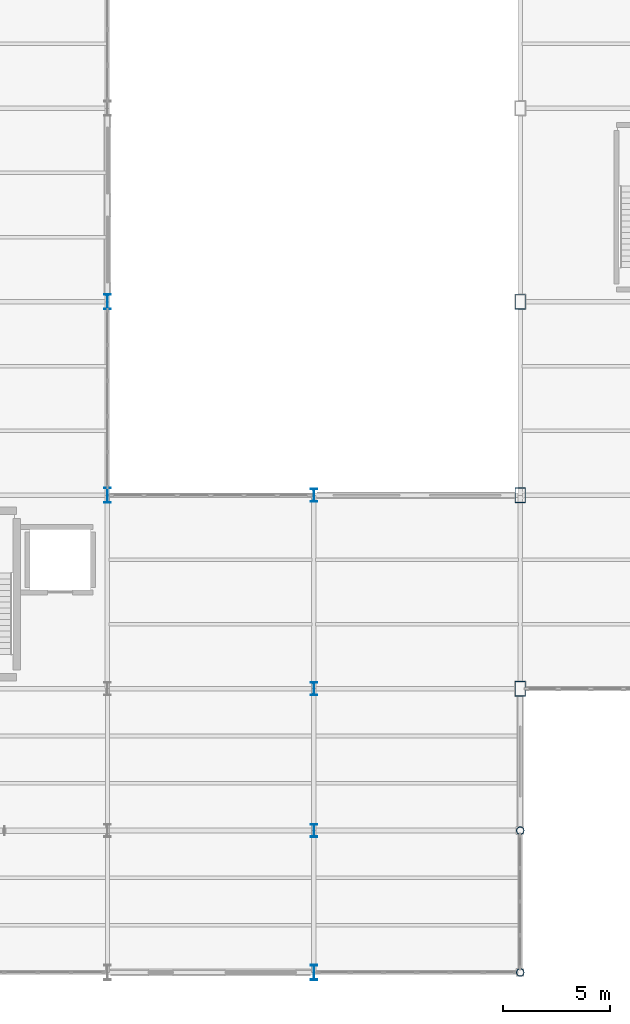
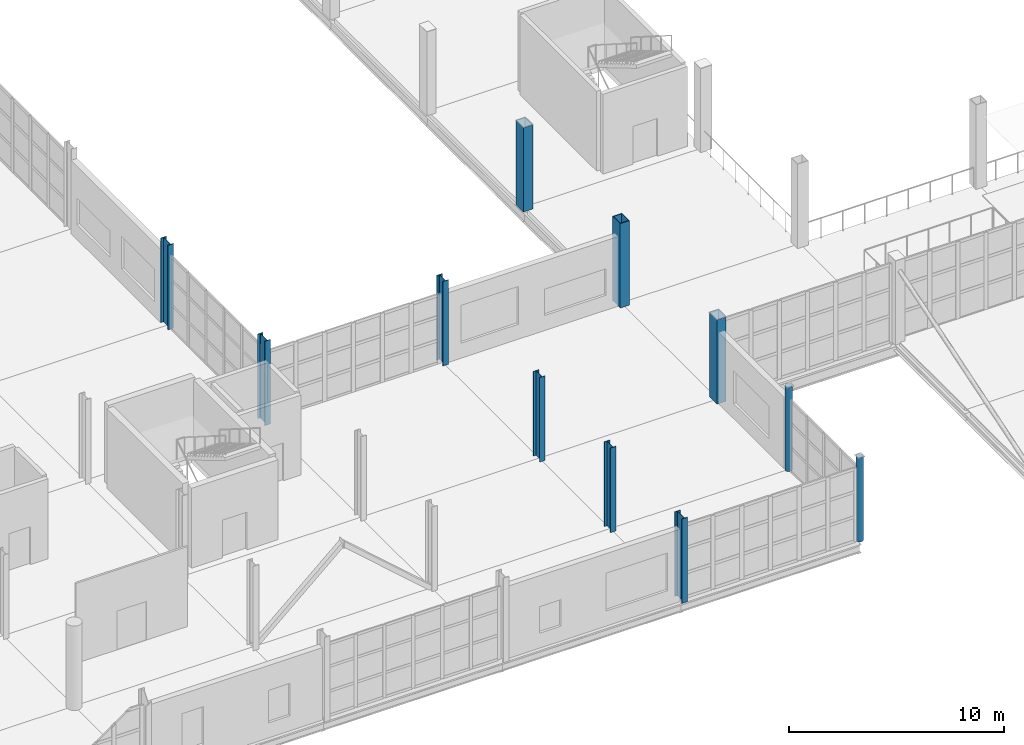
# One storey, part 2 of 120: 11 columns.
"""IFC4 building model written with IfcOpenShell, lengths in metres."""

import ifcopenshell
import ifcopenshell.guid

model = None  # the IFC model being written
_history = None  # IfcOwnerHistory: only IFC2X3 demands one
_inside = {}  # id of a spatial element -> (the spatial element, [elements in it])
_under = {}  # id of a project, library or spatial element -> (it, [spatial elements below it])
_declared = {}  # id of a project -> (the project, [libraries it declares])
_typed = {}  # id of a type object -> (the type object, [elements of that type])
_made_of = {}  # id of a material, layer set ... -> (it, [elements and type objects made of it])


def new_model(schema):
    """Start an empty IFC model of exactly this schema.

    Asked for "IFC4X3", IfcOpenShell would pick the latest addendum, in which some entities
    have other attributes; the version numbers below select the first issue.
    IFC2X3 requires an IfcOwnerHistory on every rooted entity: one is made here for all.
    """
    global model, _history
    if schema == "IFC4X3":
        model = ifcopenshell.file(schema_version=(4, 3, 0, 0))
    else:
        model = ifcopenshell.file(schema=schema)
    _inside.clear()
    _under.clear()
    _declared.clear()
    _typed.clear()
    _made_of.clear()
    _history = None
    if model.schema == "IFC2X3":
        org = make("IfcOrganization", Name="unknown")
        user = make(
            "IfcPersonAndOrganization",
            ThePerson=make("IfcPerson", FamilyName="unknown"),
            TheOrganization=org,
        )
        app = make(
            "IfcApplication",
            ApplicationDeveloper=org,
            Version="unknown",
            ApplicationFullName="unknown",
            ApplicationIdentifier="unknown",
        )
        _history = make(
            "IfcOwnerHistory",
            OwningUser=user,
            OwningApplication=app,
            ChangeAction="ADDED",
            CreationDate=0,
        )
    return model


def make(cls, **values):
    """One entity of the class cls with the attributes given. An attribute that is None is left unset."""
    return model.create_entity(
        cls, **{name: value for name, value in values.items() if value is not None}
    )


def rooted(cls, **values):
    """An entity with a GlobalId (a new one), such as an element, a storey or a relation."""
    return make(cls, GlobalId=ifcopenshell.guid.new(), OwnerHistory=_history, **values)


def si_unit(unit_type, name, prefix=None):
    """IfcSIUnit, for example si_unit("LENGTHUNIT", "METRE", prefix="MILLI")."""
    return make("IfcSIUnit", UnitType=unit_type, Prefix=prefix, Name=name)


def assignment(units):
    """IfcUnitAssignment: the units of a project."""
    return None if units is None else make("IfcUnitAssignment", Units=units)


def point(xyz):
    """IfcCartesianPoint."""
    return None if xyz is None else make("IfcCartesianPoint", Coordinates=xyz)


def direction(xyz):
    """IfcDirection."""
    return None if xyz is None else make("IfcDirection", DirectionRatios=xyz)


def frame(location, z_axis=None, x_axis=None):
    """IfcAxis2Placement3D, a coordinate frame: its origin and axes. An axis left out is left unset."""
    return make(
        "IfcAxis2Placement3D",
        Location=point(location),
        Axis=direction(z_axis),
        RefDirection=direction(x_axis),
    )


def frame_2d(location, x_axis=None):
    """IfcAxis2Placement2D, a coordinate frame in the plane: its origin and x axis."""
    return make(
        "IfcAxis2Placement2D", Location=point(location), RefDirection=direction(x_axis)
    )


def origin():
    """The frame at (0, 0, 0) with its axes left unset."""
    return frame((0.0, 0.0, 0.0))


def origin_2d():
    """The frame at (0, 0) in the plane with its x axis left unset."""
    return frame_2d((0.0, 0.0))


def place(relative_to, where):
    """IfcLocalPlacement: puts the frame where relative to a parent placement (None: the world)."""
    return make(
        "IfcLocalPlacement", PlacementRelTo=relative_to, RelativePlacement=where
    )


def context(
    kind, dimensions, precision=None, world=None, true_north=None, identifier=None
):
    """IfcGeometricRepresentationContext, for example the 3D "Model" context."""
    return make(
        "IfcGeometricRepresentationContext",
        ContextIdentifier=identifier,
        ContextType=kind,
        CoordinateSpaceDimension=dimensions,
        Precision=precision,
        WorldCoordinateSystem=world,
        TrueNorth=true_north,
    )


def subcontext(parent, identifier, kind, view, scale=None):
    """IfcGeometricRepresentationSubContext, for example "Body" below "Model"."""
    return make(
        "IfcGeometricRepresentationSubContext",
        ContextIdentifier=identifier,
        ContextType=kind,
        ParentContext=parent,
        TargetScale=scale,
        TargetView=view,
    )


def project(units=None, contexts=None):
    """IfcProject with its units and contexts."""
    return rooted(
        "IfcProject",
        Name="project",
        RepresentationContexts=contexts,
        UnitsInContext=assignment(units),
    )


def spatial(cls, under=None, at=None, **own):
    """A site, building, storey or space (cls), placed at a placement, below another one or the project."""
    s = rooted(cls, ObjectPlacement=at, **own)
    if under is not None:
        _under.setdefault(under.id(), (under, []))[1].append(s)
    return s


def profile(cls, at=None, kind="AREA", **sizes):
    """A parametric profile (cls). Its sizes go by their IFC names, for example OverallWidth=200.0."""
    return make(cls, ProfileType=kind, Position=at, **sizes)


def hollow_rectangle(**sizes):
    """IfcRectangleHollowProfileDef."""
    return profile("IfcRectangleHollowProfileDef", **sizes)


def hollow_circle(**sizes):
    """IfcCircleHollowProfileDef."""
    return profile("IfcCircleHollowProfileDef", **sizes)


def i_section(**sizes):
    """IfcIShapeProfileDef."""
    return profile("IfcIShapeProfileDef", **sizes)


def extrude(swept, where, along, depth):
    """IfcExtrudedAreaSolid: the profile swept, set in the frame where, extruded along a direction by depth."""
    return make(
        "IfcExtrudedAreaSolid",
        SweptArea=swept,
        Position=where,
        ExtrudedDirection=direction(along),
        Depth=depth,
    )


def shape(context_of_items, identifier, shape_type, items):
    """IfcShapeRepresentation: the items that make up one representation, for example the "Body"."""
    return make(
        "IfcShapeRepresentation",
        ContextOfItems=context_of_items,
        RepresentationIdentifier=identifier,
        RepresentationType=shape_type,
        Items=items,
    )


def material(Name=None, Category=None):
    """IfcMaterial."""
    return make("IfcMaterial", Name=Name, Category=Category)


def material_profile(
    of_material, cross_section, Name=None, Category=None, Priority=None
):
    """IfcMaterialProfile: a cross section and its material."""
    return make(
        "IfcMaterialProfile",
        Name=Name,
        Material=of_material,
        Profile=cross_section,
        Priority=Priority,
        Category=Category,
    )


def profile_set(profiles, Name=None, composite=None):
    """IfcMaterialProfileSet."""
    return make(
        "IfcMaterialProfileSet",
        Name=Name,
        MaterialProfiles=profiles,
        CompositeProfile=composite,
    )


def made_of(thing, what):
    """Note that an element or type object is made of a material, layer set ...; save() writes the relation."""
    if what is not None:
        _made_of.setdefault(what.id(), (what, []))[1].append(thing)
    return thing


def type_object(cls, material=None, **own):
    """A type object (cls), such as IfcWallType, which elements share."""
    return made_of(rooted(cls, **own), material)


def element(
    cls,
    number,
    at=None,
    inside=None,
    cuts=None,
    type_object=None,
    material=None,
    context=None,
    identifier="Body",
    shape_type=None,
    held_by="IfcProductDefinitionShape",
    body=None,
    shapes=None,
    **own,
):
    """One element of the class cls, such as IfcWall. Its Tag is "e" and its number.

    at: its placement. inside: the storey or other place that contains it. cuts: it is an
    opening in that element (IfcRelVoidsElement). A single representation is given by context,
    identifier, shape_type and body (its items); several are given by shapes. held_by: the class
    of the entity that holds the representations. save() writes the other relations.
    """
    e = rooted(cls, Tag="e%d" % number, ObjectPlacement=at, **own)
    if body is not None:
        shapes = [shape(context, identifier, shape_type, body)]
    if shapes is not None:
        e.Representation = make(held_by, Representations=shapes)
    if inside is not None:
        _inside.setdefault(inside.id(), (inside, []))[1].append(e)
    if cuts is not None:
        rooted(
            "IfcRelVoidsElement", RelatingBuildingElement=cuts, RelatedOpeningElement=e
        )
    if type_object is not None:
        _typed.setdefault(type_object.id(), (type_object, []))[1].append(e)
    return made_of(e, material)


def aggregate(whole, parts):
    """IfcRelAggregates: a whole, such as a stair, and the parts it consists of."""
    return rooted("IfcRelAggregates", RelatingObject=whole, RelatedObjects=parts)


def save(model, path):
    """Write the relations noted so far, then the file.

    IfcRelAggregates (storeys below a building ...), IfcRelContainedInSpatialStructure (elements
    in a storey), IfcRelDefinesByType, IfcRelAssociatesMaterial and IfcRelDeclares: one each for
    every whole, place, type object, material and project.
    """
    for whole, parts in _under.values():
        aggregate(whole, parts)
    for where, things in _inside.values():
        rooted(
            "IfcRelContainedInSpatialStructure",
            RelatedElements=things,
            RelatingStructure=where,
        )
    for kind, things in _typed.values():
        rooted("IfcRelDefinesByType", RelatedObjects=things, RelatingType=kind)
    for what, things in _made_of.values():
        rooted("IfcRelAssociatesMaterial", RelatedObjects=things, RelatingMaterial=what)
    for by, libraries in _declared.values():
        rooted("IfcRelDeclares", RelatingContext=by, RelatedDefinitions=libraries)
    model.write(path)


model = new_model("IFC4")

# Units and contexts
model_context = context("Model", 3, precision=1e-05, world=origin(), true_north=direction((0.0, 1.0)))
body_context = subcontext(model_context, "Body", "Model", "MODEL_VIEW")
ifc_project = project(units=[si_unit("LENGTHUNIT", "METRE"), si_unit("AREAUNIT", "SQUARE_METRE"), si_unit("VOLUMEUNIT", "CUBIC_METRE"), si_unit("PLANEANGLEUNIT", "RADIAN"), si_unit("MASSUNIT", "GRAM", prefix="KILO")], contexts=[model_context])

# Site, building, storey
site_placement = place(None, origin())
site = spatial("IfcSite", under=ifc_project, at=site_placement, CompositionType="ELEMENT")
building_placement = place(site_placement, origin())
building = spatial("IfcBuilding", under=site, at=building_placement, Name="Zarnetskaya Central Station", CompositionType="ELEMENT")
storey_placement = place(building_placement, frame((0.0, 0.0, 5.39990234375)))
storey = spatial("IfcBuildingStorey", under=building, at=storey_placement, Name="L01", CompositionType="ELEMENT", Elevation=5.39990234375)

# Columns
ifc_material = material(Name="Steel S355", Category="steel")
ifc_material_profile_1 = material_profile(ifc_material, hollow_rectangle(XDim=0.5, YDim=0.699951171875, WallThickness=0.031982421875, at=origin_2d()), Name="BOX 700x500x32")
ifc_profile_set_1 = profile_set([ifc_material_profile_1], Name="Steel S355")
column_type_1 = type_object("IfcColumnType", Name="COL-V2-HALL", PredefinedType="COLUMN", material=ifc_profile_set_1)
column_1_placement = place(storey_placement, frame((57.60009765625, 13.199951171875, 0.0), z_axis=(0.0, 0.0, 1.0), x_axis=(1.0, 0.0, 0.0)))
element("IfcColumn", 1, at=column_1_placement, inside=storey, type_object=column_type_1, Name="Column G3 L01", PredefinedType="COLUMN", context=body_context, shape_type="SweptSolid", body=[
    extrude(hollow_rectangle(XDim=0.5, YDim=0.699951171875, WallThickness=0.031982421875, at=origin_2d()), origin(), (0.0, 0.0, 1.0), 4.7880859375),
])
column_2_placement = place(storey_placement, frame((57.60009765625, 22.199951171875, 0.0), z_axis=(0.0, 0.0, 1.0), x_axis=(1.0, 0.0, 0.0)))
element("IfcColumn", 2, at=column_2_placement, inside=storey, type_object=column_type_1, Name="Column G4 L01", PredefinedType="COLUMN", context=body_context, shape_type="SweptSolid", body=[
    extrude(hollow_rectangle(XDim=0.5, YDim=0.699951171875, WallThickness=0.031982421875, at=origin_2d()), origin(), (0.0, 0.0, 1.0), 4.800048828125),
])
column_3_placement = place(storey_placement, frame((57.60009765625, 31.199951171875, 0.0), z_axis=(0.0, 0.0, 1.0), x_axis=(1.0, 0.0, 0.0)))
element("IfcColumn", 3, at=column_3_placement, inside=storey, type_object=column_type_1, Name="Column G5 L01", PredefinedType="COLUMN", context=body_context, shape_type="SweptSolid", body=[
    extrude(hollow_rectangle(XDim=0.5, YDim=0.699951171875, WallThickness=0.031982421875, at=origin_2d()), origin(), (0.0, 0.0, 1.0), 4.7880859375),
])
ifc_material_profile_2 = material_profile(ifc_material, hollow_circle(Radius=0.177734375, WallThickness=0.01611328125, at=origin_2d()), Name="CHS 355.6x16")
ifc_profile_set_2 = profile_set([ifc_material_profile_2], Name="Steel S355")
column_type_2 = type_object("IfcColumnType", Name="COL-V3-FCAN", PredefinedType="COLUMN", material=ifc_profile_set_2)
for number, where, z_axis, x_axis, name in (
    (4, (57.60009765625, 0.0, 0.0), (0.0, 0.0, 1.0), (1.0, 0.0, 0.0), "Column G1 L01"),
    (5, (57.60009765625, 6.60009765625, 0.0), (0.0, 0.0, 1.0), (1.0, 0.0, 0.0), "Column G2 L01"),
):
    element("IfcColumn", number, at=place(storey_placement, frame(where, z_axis=z_axis, x_axis=x_axis)), inside=storey, type_object=column_type_2, Name=name, PredefinedType="COLUMN", context=body_context, shape_type="SweptSolid", body=[
        extrude(hollow_circle(Radius=0.177734375, WallThickness=0.01611328125, at=origin_2d()), origin(), (0.0, 0.0, 1.0), 4.7880859375),
    ])
ifc_material_profile_3 = material_profile(ifc_material, i_section(OverallWidth=0.300048828125, OverallDepth=0.699951171875, WebThickness=0.01708984375, FlangeThickness=0.031982421875, FilletRadius=0.027099609375, at=origin_2d()), Name="HEB 700")
ifc_profile_set_3 = profile_set([ifc_material_profile_3], Name="Steel S355")
column_type_3 = type_object("IfcColumnType", Name="COL-V5-LOW-E", PredefinedType="COLUMN", material=ifc_profile_set_3)
for number, where, z_axis, x_axis, name in (
    (6, (38.39990234375, 22.199951171875, 0.0), (0.0, 0.0, 1.0), (1.0, 0.0, 0.0), "Column E4 L01"),
    (7, (38.39990234375, 31.199951171875, 0.0), (0.0, 0.0, 1.0), (1.0, 0.0, 0.0), "Column E5 L01"),
    (8, (48.0, 0.0, 0.0), (0.0, 0.0, 1.0), (1.0, 0.0, 0.0), "Column F1 L01"),
):
    element("IfcColumn", number, at=place(storey_placement, frame(where, z_axis=z_axis, x_axis=x_axis)), inside=storey, type_object=column_type_3, Name=name, PredefinedType="COLUMN", context=body_context, shape_type="SweptSolid", body=[
        extrude(i_section(OverallWidth=0.300048828125, OverallDepth=0.699951171875, WebThickness=0.01708984375, FlangeThickness=0.031982421875, FilletRadius=0.027099609375, at=origin_2d()), origin(), (0.0, 0.0, 1.0), 4.800048828125),
    ])
ifc_material_profile_4 = material_profile(ifc_material, i_section(OverallWidth=0.300048828125, OverallDepth=0.60009765625, WebThickness=0.015380859375, FlangeThickness=0.030029296875, FilletRadius=0.027099609375, at=origin_2d()), Name="HEB 600")
ifc_profile_set_4 = profile_set([ifc_material_profile_4], Name="Steel S355")
column_type_4 = type_object("IfcColumnType", Name="COL-V5-LOW-I", PredefinedType="COLUMN", material=ifc_profile_set_4)
for number, where, z_axis, x_axis, name in (
    (9, (48.0, 6.60009765625, 0.0), (0.0, 0.0, 1.0), (1.0, 0.0, 0.0), "Column F2 L01"),
    (10, (48.0, 13.199951171875, 0.0), (0.0, 0.0, 1.0), (1.0, 0.0, 0.0), "Column F3 L01"),
    (11, (48.0, 22.199951171875, 0.0), (0.0, 0.0, 1.0), (1.0, 0.0, 0.0), "Column F4 L01"),
):
    element("IfcColumn", number, at=place(storey_placement, frame(where, z_axis=z_axis, x_axis=x_axis)), inside=storey, type_object=column_type_4, Name=name, PredefinedType="COLUMN", context=body_context, shape_type="SweptSolid", body=[
        extrude(i_section(OverallWidth=0.300048828125, OverallDepth=0.60009765625, WebThickness=0.015380859375, FlangeThickness=0.030029296875, FilletRadius=0.027099609375, at=origin_2d()), origin(), (0.0, 0.0, 1.0), 4.800048828125),
    ])

save(model, "model.ifc")
